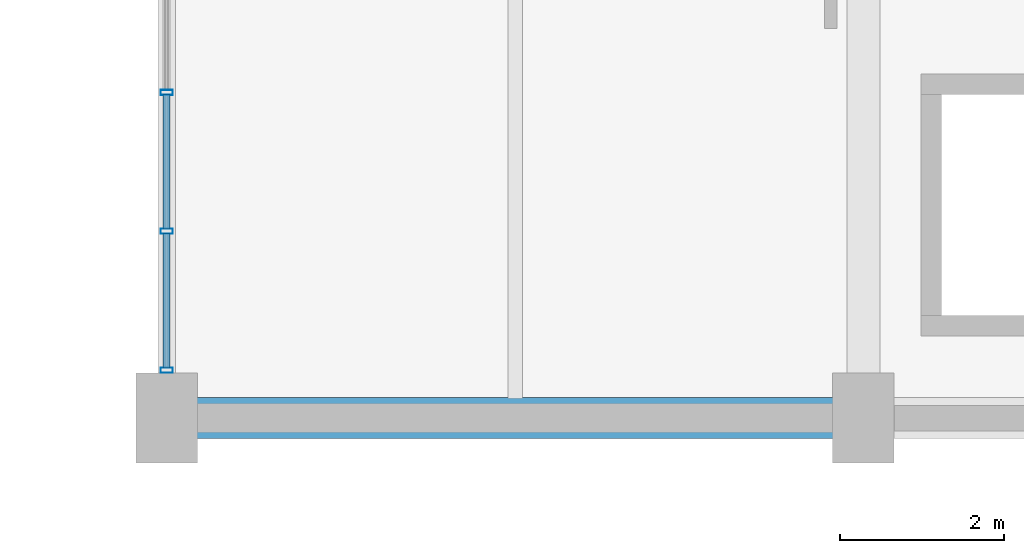
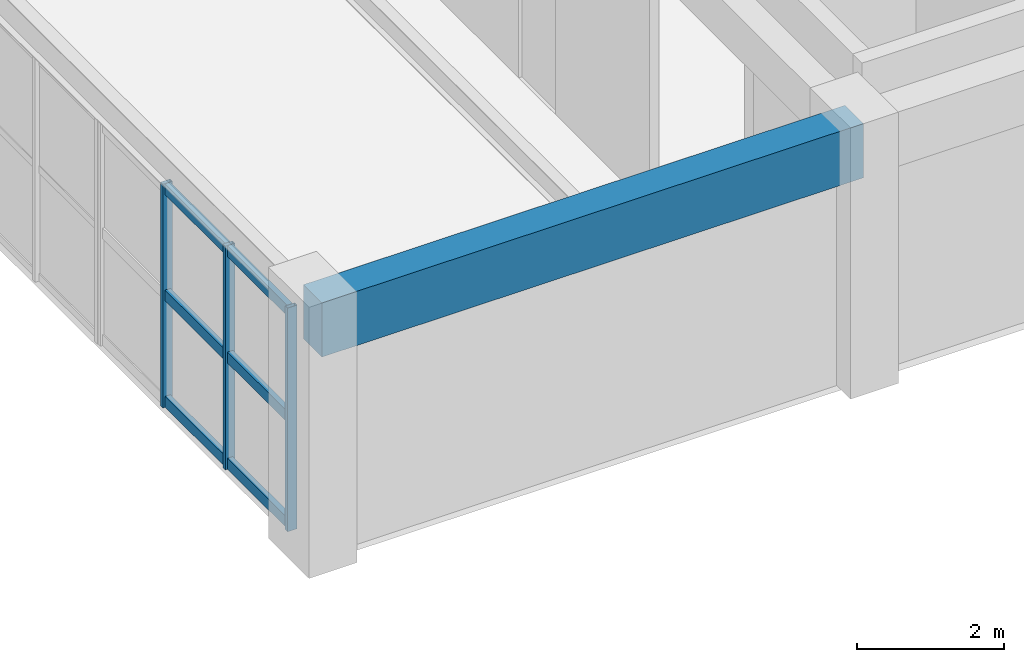
# One storey, part 17 of 80: 9 members, 1 beam, 1 element without a shape of its own.
"""IFC4 building model written with IfcOpenShell, lengths in metres."""

from ifc_helpers import new_model, si_unit, direction, frame, origin, origin_2d, place, context, subcontext, project, spatial, rectangle, hollow_rectangle, extrude, material, layer, layer_set, material_profile, profile_set, type_object, element, aggregate, save


model = new_model("IFC4")

# Units and contexts
model_context = context("Model", 3, precision=1e-05, world=origin(), true_north=direction((0.0, 1.0)))
body_context = subcontext(model_context, "Body", "Model", "MODEL_VIEW")
ifc_project = project(units=[si_unit("LENGTHUNIT", "METRE"), si_unit("AREAUNIT", "SQUARE_METRE"), si_unit("VOLUMEUNIT", "CUBIC_METRE"), si_unit("PLANEANGLEUNIT", "RADIAN"), si_unit("MASSUNIT", "GRAM", prefix="KILO"), si_unit("POWERUNIT", "WATT"), si_unit("THERMODYNAMICTEMPERATUREUNIT", "KELVIN")], contexts=[model_context])

# Site, building, storey
site_placement = place(None, origin())
site = spatial("IfcSite", under=ifc_project, at=site_placement, CompositionType="ELEMENT")
building_placement = place(site_placement, origin())
building = spatial("IfcBuilding", under=site, at=building_placement, Name="Kelmbourne Parkland Aquatics Centre", CompositionType="ELEMENT")
storey_placement = place(building_placement, frame((0.0, 0.0, 10.199951171875)))
storey = spatial("IfcBuildingStorey", under=building, at=storey_placement, Name="L02", CompositionType="ELEMENT", Elevation=10.199951171875)

# Beam
ifc_material_1 = material(Name="Concrete C40/50", Category="concrete")
ifc_material_profile_1 = material_profile(ifc_material_1, rectangle(XDim=0.5, YDim=0.89990234375, at=origin_2d()), Name="RC 500x900")
ifc_profile_set_1 = profile_set([ifc_material_profile_1], Name="Concrete C40/50")
beam_type = type_object("IfcBeamType", Name="BM-G03", PredefinedType="BEAM", material=ifc_profile_set_1)
beam_placement = place(storey_placement, frame((102.0, 12.199951171875, 3.81005859375), z_axis=(1.0, 0.0, 0.0), x_axis=(0.0, 1.0, 0.0)))
element("IfcBeam", 1, at=beam_placement, inside=storey, type_object=beam_type, Name="Primary girder M-N Grid 03 (L03)", PredefinedType="BEAM", context=body_context, shape_type="SweptSolid", body=[
    extrude(rectangle(XDim=0.5, YDim=0.89990234375, at=origin_2d()), origin(), (0.0, 0.0, 1.0), 8.5),
])

# Curtain wall, members
ifc_material_2 = material(Name="Thermally broken anodised aluminium framing", Category="aluminium")
ifc_layer = layer(ifc_material_2, 0.179931640625)
ifc_layer_set = layer_set([ifc_layer], Name="Thermally broken anodised aluminium framing")
curtain_wall_type = type_object("IfcCurtainWallType", Name="CW-08", PredefinedType="NOTDEFINED", material=ifc_layer_set)
curtain_wall_placement = place(storey_placement, origin())
curtain_wall = element("IfcCurtainWall", 2, at=curtain_wall_placement, inside=storey, type_object=curtain_wall_type, Name="Facade curtain wall CW-L02-200", PredefinedType="NOTDEFINED")
ifc_material_profile_2 = material_profile(ifc_material_2, hollow_rectangle(XDim=0.06494140625, YDim=0.14990234375, WallThickness=0.00390625, at=origin_2d()), Name="CW-M 65x150")
ifc_profile_set_2 = profile_set([ifc_material_profile_2], Name="Thermally broken anodised aluminium framing")
member_type_1 = type_object("IfcMemberType", Name="MB-MUL-1", PredefinedType="MULLION", material=ifc_profile_set_2)
member_1_placement = place(storey_placement, frame((102.0, 12.784423828125, 0.0), z_axis=(0.0, 0.0, 1.0), x_axis=(0.0, 1.0, 0.0)))
member_1 = element("IfcMember", 3, at=member_1_placement, type_object=member_type_1, Name="CW-L02-200 mullion 0", PredefinedType="MULLION", context=body_context, shape_type="SweptSolid", body=[
    extrude(hollow_rectangle(XDim=0.06494140625, YDim=0.14990234375, WallThickness=0.00390625, at=origin_2d()), origin(), (0.0, 0.0, 1.0), 3.712158203125),
])
member_2_placement = place(storey_placement, frame((102.0, 14.478759765625, 0.0), z_axis=(0.0, 0.0, 1.0), x_axis=(0.0, 1.0, 0.0)))
member_2 = element("IfcMember", 4, at=member_2_placement, type_object=member_type_1, Name="CW-L02-200 mullion 1", PredefinedType="MULLION", context=body_context, shape_type="SweptSolid", body=[
    extrude(hollow_rectangle(XDim=0.06494140625, YDim=0.14990234375, WallThickness=0.00390625, at=origin_2d()), origin(), (0.0, 0.0, 1.0), 3.712158203125),
])
member_3_placement = place(storey_placement, frame((102.0, 16.173095703125, 0.0), z_axis=(0.0, 0.0, 1.0), x_axis=(0.0, 1.0, 0.0)))
member_3 = element("IfcMember", 5, at=member_3_placement, type_object=member_type_1, Name="CW-L02-200 mullion 2", PredefinedType="MULLION", context=body_context, shape_type="SweptSolid", body=[
    extrude(hollow_rectangle(XDim=0.06494140625, YDim=0.14990234375, WallThickness=0.00390625, at=origin_2d()), origin(), (0.0, 0.0, 1.0), 3.712158203125),
])
ifc_material_profile_3 = material_profile(ifc_material_2, hollow_rectangle(XDim=0.0849609375, YDim=0.179931640625, WallThickness=0.00439453125, at=origin_2d()), Name="CW-T 85x180")
ifc_profile_set_3 = profile_set([ifc_material_profile_3], Name="Thermally broken anodised aluminium framing")
member_type_2 = type_object("IfcMemberType", Name="MB-TRN-3", PredefinedType="USERDEFINED", material=ifc_profile_set_3)
member_4_placement = place(storey_placement, frame((102.0, 12.81298828125, 0.093017578125), z_axis=(0.0, 1.0, 0.0), x_axis=(-1.0, 0.0, 0.0)))
member_4 = element("IfcMember", 6, at=member_4_placement, type_object=member_type_2, Name="CW-L02-200 transom 0-0", ObjectType="TRANSOM", PredefinedType="USERDEFINED", context=body_context, shape_type="SweptSolid", body=[
    extrude(hollow_rectangle(XDim=0.0849609375, YDim=0.179931640625, WallThickness=0.00439453125, at=origin_2d()), origin(), (0.0, 0.0, 1.0), 1.63720703125),
])
member_5_placement = place(storey_placement, frame((102.0, 14.50732421875, 0.093017578125), z_axis=(0.0, 1.0, 0.0), x_axis=(-1.0, 0.0, 0.0)))
member_5 = element("IfcMember", 7, at=member_5_placement, type_object=member_type_2, Name="CW-L02-200 transom 0-1", ObjectType="TRANSOM", PredefinedType="USERDEFINED", context=body_context, shape_type="SweptSolid", body=[
    extrude(hollow_rectangle(XDim=0.0849609375, YDim=0.179931640625, WallThickness=0.00439453125, at=origin_2d()), origin(), (0.0, 0.0, 1.0), 1.637451171875),
])
member_6_placement = place(storey_placement, frame((102.0, 12.81298828125, 1.85595703125), z_axis=(0.0, 1.0, 0.0), x_axis=(-1.0, 0.0, 0.0)))
member_6 = element("IfcMember", 8, at=member_6_placement, type_object=member_type_2, Name="CW-L02-200 transom 1-0", ObjectType="TRANSOM", PredefinedType="USERDEFINED", context=body_context, shape_type="SweptSolid", body=[
    extrude(hollow_rectangle(XDim=0.0849609375, YDim=0.179931640625, WallThickness=0.00439453125, at=origin_2d()), origin(), (0.0, 0.0, 1.0), 1.63720703125),
])
member_7_placement = place(storey_placement, frame((102.0, 14.50732421875, 1.85595703125), z_axis=(0.0, 1.0, 0.0), x_axis=(-1.0, 0.0, 0.0)))
member_7 = element("IfcMember", 9, at=member_7_placement, type_object=member_type_2, Name="CW-L02-200 transom 1-1", ObjectType="TRANSOM", PredefinedType="USERDEFINED", context=body_context, shape_type="SweptSolid", body=[
    extrude(hollow_rectangle(XDim=0.0849609375, YDim=0.179931640625, WallThickness=0.00439453125, at=origin_2d()), origin(), (0.0, 0.0, 1.0), 1.637451171875),
])
member_8_placement = place(storey_placement, frame((102.0, 12.81298828125, 3.619140625), z_axis=(0.0, 1.0, 0.0), x_axis=(-1.0, 0.0, 0.0)))
member_8 = element("IfcMember", 10, at=member_8_placement, type_object=member_type_2, Name="CW-L02-200 transom 2-0", ObjectType="TRANSOM", PredefinedType="USERDEFINED", context=body_context, shape_type="SweptSolid", body=[
    extrude(hollow_rectangle(XDim=0.0849609375, YDim=0.179931640625, WallThickness=0.00439453125, at=origin_2d()), origin(), (0.0, 0.0, 1.0), 1.63720703125),
])
member_9_placement = place(storey_placement, frame((102.0, 14.50732421875, 3.619140625), z_axis=(0.0, 1.0, 0.0), x_axis=(-1.0, 0.0, 0.0)))
member_9 = element("IfcMember", 11, at=member_9_placement, type_object=member_type_2, Name="CW-L02-200 transom 2-1", ObjectType="TRANSOM", PredefinedType="USERDEFINED", context=body_context, shape_type="SweptSolid", body=[
    extrude(hollow_rectangle(XDim=0.0849609375, YDim=0.179931640625, WallThickness=0.00439453125, at=origin_2d()), origin(), (0.0, 0.0, 1.0), 1.637451171875),
])
aggregate(curtain_wall, [member_1, member_2, member_3, member_4, member_5, member_6, member_7, member_8, member_9])

save(model, "model.ifc")
